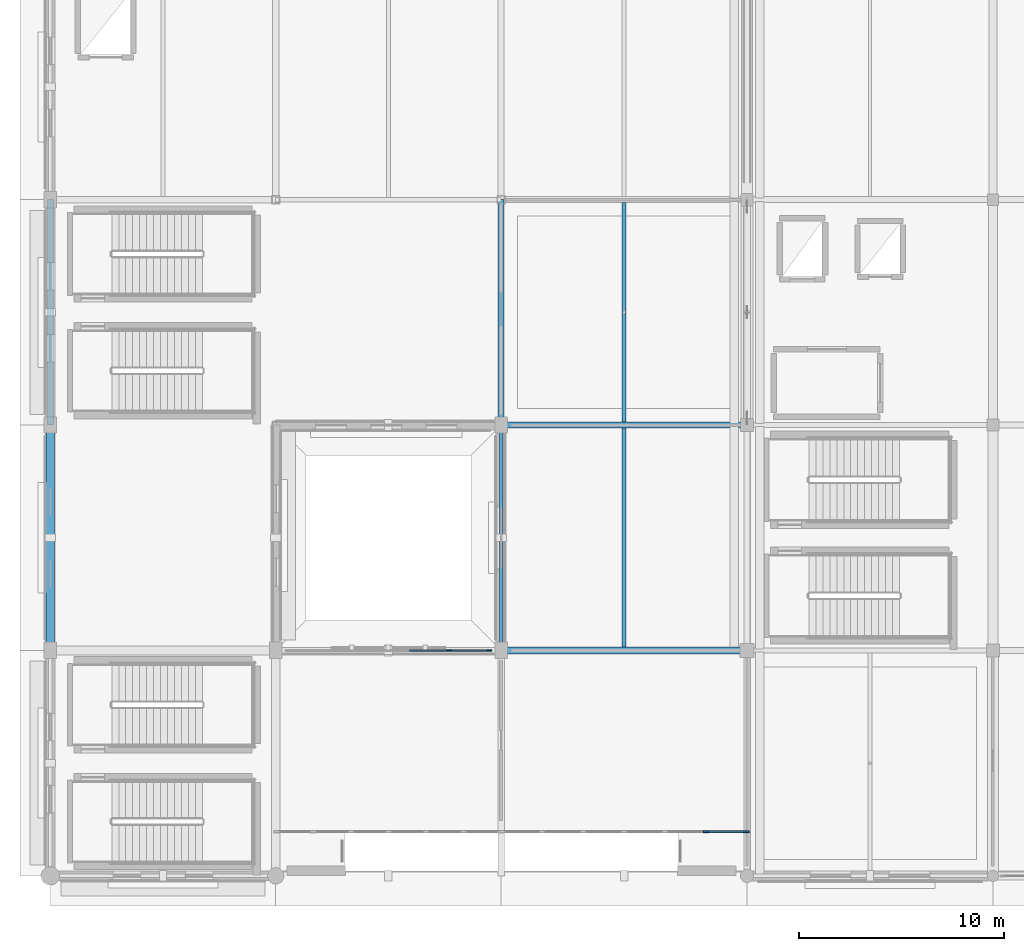
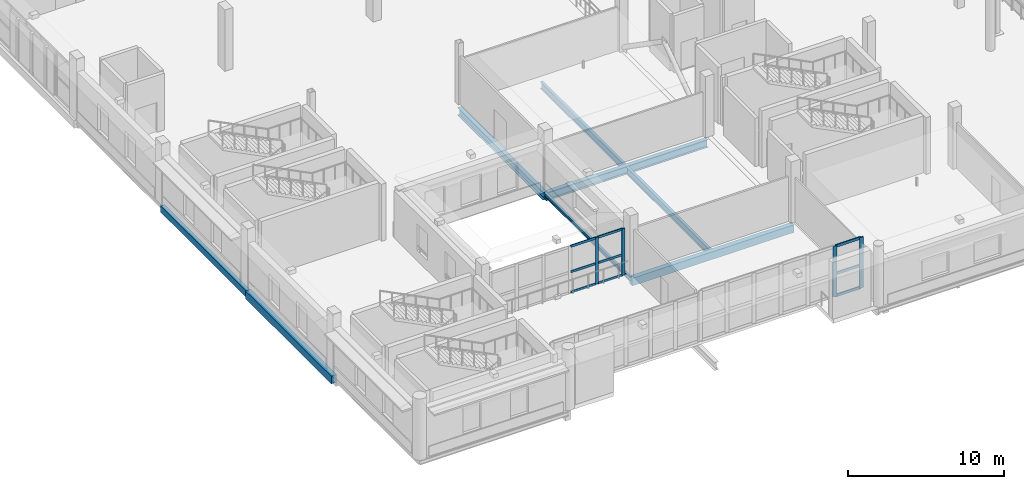
# One storey, part 23 of 143: 13 members, 8 beams, 2 elements without a shape of their own.
"""IFC4 building model written with IfcOpenShell, lengths in metres."""

from ifc_helpers import new_model, si_unit, direction, frame, origin, origin_2d, place, context, subcontext, project, spatial, rectangle, hollow_rectangle, i_section, extrude, material, material_profile, profile_set, type_object, element, aggregate, save


model = new_model("IFC4")

# Units and contexts
model_context = context("Model", 3, precision=1e-05, world=origin(), true_north=direction((0.0, 1.0)))
body_context = subcontext(model_context, "Body", "Model", "MODEL_VIEW")
ifc_project = project(units=[si_unit("LENGTHUNIT", "METRE"), si_unit("AREAUNIT", "SQUARE_METRE"), si_unit("VOLUMEUNIT", "CUBIC_METRE"), si_unit("PLANEANGLEUNIT", "RADIAN"), si_unit("MASSUNIT", "GRAM", prefix="KILO")], contexts=[model_context])

# Site, building, storey
site_placement = place(None, origin())
site = spatial("IfcSite", under=ifc_project, at=site_placement, CompositionType="ELEMENT")
building_placement = place(site_placement, origin())
building = spatial("IfcBuilding", under=site, at=building_placement, Name="Luwafu Chhajja Arena", CompositionType="ELEMENT")
storey_placement = place(building_placement, frame((0.0, 0.0, 5.39990234375)))
storey = spatial("IfcBuildingStorey", under=building, at=storey_placement, Name="L01", CompositionType="ELEMENT", Elevation=5.39990234375)

# Beam
ifc_material_1 = material(Name="Concrete C35/45", Category="concrete")
ifc_material_profile_1 = material_profile(ifc_material_1, rectangle(XDim=0.35009765625, YDim=0.60009765625, at=origin_2d()), Name="RC 350x600")
ifc_profile_set_1 = profile_set([ifc_material_profile_1], Name="Concrete C35/45")
beam_type_1 = type_object("IfcBeamType", Name="Arcade Tie Beam RC 350x600", PredefinedType="BEAM", material=ifc_profile_set_1)
beam_1_placement = place(storey_placement, frame((22.0, 11.0, -0.6298828125), z_axis=(1.0, 0.0, 0.0), x_axis=(0.0, 1.0, 0.0)))
element("IfcBeam", 1, at=beam_1_placement, inside=storey, type_object=beam_type_1, Name="L01 Grid Beam 3-4/B", PredefinedType="BEAM", context=body_context, shape_type="SweptSolid", body=[
    extrude(rectangle(XDim=0.35009765625, YDim=0.60009765625, at=origin_2d()), origin(), (0.0, 0.0, 1.0), 12.0),
])

# Curtain wall, members
ifc_material_2 = material(Name="Anodised bronze aluminium", Category="aluminium")
curtain_wall_type_1 = type_object("IfcCurtainWallType", Name="Warm-Up Gallery Curtain Wall", PredefinedType="USERDEFINED", material=ifc_material_2)
curtain_wall_1_placement = place(storey_placement, origin())
curtain_wall_1 = element("IfcCurtainWall", 2, at=curtain_wall_1_placement, inside=storey, type_object=curtain_wall_type_1, Name="L01 Curtain Wall CWG-L01-H01_01", ObjectType="CURTAIN WALL", PredefinedType="USERDEFINED")
ifc_material_profile_2 = material_profile(ifc_material_2, rectangle(XDim=0.070068359375, YDim=0.239990234375, at=origin_2d()), Name="CWM 70x240")
ifc_profile_set_2 = profile_set([ifc_material_profile_2], Name="Anodised bronze aluminium")
member_type_1 = type_object("IfcMemberType", Name="Bronze Curtain Wall Mullion 70x240", PredefinedType="MULLION", material=ifc_profile_set_2)
member_1_placement = place(storey_placement, frame((19.47607421875, 11.0, 0.030029296875), z_axis=(0.0, 0.0, 1.0), x_axis=(0.0, 1.0, 0.0)))
member_1 = element("IfcMember", 3, at=member_1_placement, type_object=member_type_1, Name="CW-08 mullion 5", PredefinedType="MULLION", context=body_context, shape_type="SweptSolid", body=[
    extrude(rectangle(XDim=0.070068359375, YDim=0.239990234375, at=origin_2d()), origin(), (0.0, 0.0, 1.0), 3.66015625),
])
member_2_placement = place(storey_placement, frame((21.425048828125, 11.0, 0.030029296875), z_axis=(0.0, 0.0, 1.0), x_axis=(0.0, 1.0, 0.0)))
member_2 = element("IfcMember", 4, at=member_2_placement, type_object=member_type_1, Name="CW-08 mullion 6", PredefinedType="MULLION", context=body_context, shape_type="SweptSolid", body=[
    extrude(rectangle(XDim=0.070068359375, YDim=0.239990234375, at=origin_2d()), origin(), (0.0, 0.0, 1.0), 3.66015625),
])
ifc_material_profile_3 = material_profile(ifc_material_2, rectangle(XDim=0.070068359375, YDim=0.179931640625, at=origin_2d()), Name="CWT 70x180")
ifc_profile_set_3 = profile_set([ifc_material_profile_3], Name="Anodised bronze aluminium")
member_type_2 = type_object("IfcMemberType", Name="Bronze Curtain Wall Transom 70x180", PredefinedType="USERDEFINED", material=ifc_profile_set_3)
member_3_placement = place(storey_placement, frame((17.527099609375, 11.0, 0.065185546875), z_axis=(1.0, 0.0, 0.0), x_axis=(0.0, 1.0, 0.0)))
member_3 = element("IfcMember", 5, at=member_3_placement, type_object=member_type_2, Name="CW-08 transom 4.1", ObjectType="TRANSOM", PredefinedType="USERDEFINED", context=body_context, shape_type="SweptSolid", body=[
    extrude(rectangle(XDim=0.070068359375, YDim=0.179931640625, at=origin_2d()), origin(), (0.0, 0.0, 1.0), 1.913818359375),
])
member_4_placement = place(storey_placement, frame((17.527099609375, 11.0, 1.66064453125), z_axis=(1.0, 0.0, 0.0), x_axis=(0.0, 1.0, 0.0)))
member_4 = element("IfcMember", 6, at=member_4_placement, type_object=member_type_2, Name="CW-08 transom 4.2", ObjectType="TRANSOM", PredefinedType="USERDEFINED", context=body_context, shape_type="SweptSolid", body=[
    extrude(rectangle(XDim=0.070068359375, YDim=0.179931640625, at=origin_2d()), origin(), (0.0, 0.0, 1.0), 1.913818359375),
])
member_5_placement = place(storey_placement, frame((17.527099609375, 11.0, 3.655029296875), z_axis=(1.0, 0.0, 0.0), x_axis=(0.0, 1.0, 0.0)))
member_5 = element("IfcMember", 7, at=member_5_placement, type_object=member_type_2, Name="CW-08 transom 4.3", ObjectType="TRANSOM", PredefinedType="USERDEFINED", context=body_context, shape_type="SweptSolid", body=[
    extrude(rectangle(XDim=0.070068359375, YDim=0.179931640625, at=origin_2d()), origin(), (0.0, 0.0, 1.0), 1.913818359375),
])
member_6_placement = place(storey_placement, frame((19.510986328125, 11.0, 0.065185546875), z_axis=(1.0, 0.0, 0.0), x_axis=(0.0, 1.0, 0.0)))
member_6 = element("IfcMember", 8, at=member_6_placement, type_object=member_type_2, Name="CW-08 transom 5.1", ObjectType="TRANSOM", PredefinedType="USERDEFINED", context=body_context, shape_type="SweptSolid", body=[
    extrude(rectangle(XDim=0.070068359375, YDim=0.179931640625, at=origin_2d()), origin(), (0.0, 0.0, 1.0), 1.87890625),
])
member_7_placement = place(storey_placement, frame((19.510986328125, 11.0, 1.66064453125), z_axis=(1.0, 0.0, 0.0), x_axis=(0.0, 1.0, 0.0)))
member_7 = element("IfcMember", 9, at=member_7_placement, type_object=member_type_2, Name="CW-08 transom 5.2", ObjectType="TRANSOM", PredefinedType="USERDEFINED", context=body_context, shape_type="SweptSolid", body=[
    extrude(rectangle(XDim=0.070068359375, YDim=0.179931640625, at=origin_2d()), origin(), (0.0, 0.0, 1.0), 1.87890625),
])
member_8_placement = place(storey_placement, frame((19.510986328125, 11.0, 3.655029296875), z_axis=(1.0, 0.0, 0.0), x_axis=(0.0, 1.0, 0.0)))
member_8 = element("IfcMember", 10, at=member_8_placement, type_object=member_type_2, Name="CW-08 transom 5.3", ObjectType="TRANSOM", PredefinedType="USERDEFINED", context=body_context, shape_type="SweptSolid", body=[
    extrude(rectangle(XDim=0.070068359375, YDim=0.179931640625, at=origin_2d()), origin(), (0.0, 0.0, 1.0), 1.87890625),
])
aggregate(curtain_wall_1, [member_1, member_2, member_3, member_4, member_5, member_6, member_7, member_8])

# Beams
ifc_material_3 = material(Name="Steel S355", Category="steel")
ifc_material_profile_4 = material_profile(ifc_material_3, i_section(OverallWidth=0.165771484375, OverallDepth=0.306640625, WebThickness=0.006591796875, FlangeThickness=0.01171875, at=origin_2d()), Name="UB 305x165x46")
ifc_profile_set_4 = profile_set([ifc_material_profile_4], Name="Steel S355")
beam_type_2 = type_object("IfcBeamType", Name="Concourse Edge Spandrel Beam UB 305x165x46", PredefinedType="SPANDREL", material=ifc_profile_set_4)
beam_2_placement = place(storey_placement, frame((22.0, 11.0, -0.483154296875), z_axis=(0.0, 1.0, 0.0), x_axis=(-1.0, 0.0, 0.0)))
element("IfcBeam", 11, at=beam_2_placement, inside=storey, type_object=beam_type_2, Name="L01 Grid Beam 3/B-C", PredefinedType="SPANDREL", context=body_context, shape_type="SweptSolid", body=[
    extrude(i_section(OverallWidth=0.165771484375, OverallDepth=0.306640625, WebThickness=0.006591796875, FlangeThickness=0.01171875, at=origin_2d()), origin(), (0.0, 0.0, 1.0), 11.0),
])
ifc_material_profile_5 = material_profile(ifc_material_3, i_section(OverallWidth=0.2099609375, OverallDepth=0.53662109375, WebThickness=0.0107421875, FlangeThickness=0.017333984375, at=origin_2d()), Name="UB 533x210x101")
ifc_profile_set_5 = profile_set([ifc_material_profile_5], Name="Steel S355")
beam_type_3 = type_object("IfcBeamType", Name="Floor Joist UB 533x210x101", PredefinedType="JOIST", material=ifc_profile_set_5)
beam_3_placement = place(storey_placement, frame((28.0, 11.175048828125, -0.59814453125), z_axis=(0.0, 1.0, 0.0), x_axis=(-1.0, 0.0, 0.0)))
element("IfcBeam", 12, at=beam_3_placement, inside=storey, type_object=beam_type_3, Name="L01 Secondary Joist 3-4/B", PredefinedType="JOIST", context=body_context, shape_type="SweptSolid", body=[
    extrude(i_section(OverallWidth=0.2099609375, OverallDepth=0.53662109375, WebThickness=0.0107421875, FlangeThickness=0.017333984375, at=origin_2d()), origin(), (0.0, 0.0, 1.0), 10.67138671875),
])
ifc_material_profile_6 = material_profile(ifc_material_3, i_section(OverallWidth=0.209228515625, OverallDepth=0.533203125, WebThickness=0.010009765625, FlangeThickness=0.015625, at=origin_2d()), Name="UB 533x210x92")
ifc_profile_set_6 = profile_set([ifc_material_profile_6], Name="Steel S355")
beam_type_4 = type_object("IfcBeamType", Name="Floor Joist UB 533x210x92", PredefinedType="JOIST", material=ifc_profile_set_6)
beam_4_placement = place(storey_placement, frame((28.0, 22.153564453125, -0.596435546875), z_axis=(0.0, 1.0, 0.0), x_axis=(-1.0, 0.0, 0.0)))
element("IfcBeam", 13, at=beam_4_placement, inside=storey, type_object=beam_type_4, Name="L01 Secondary Joist 3-4/C", PredefinedType="JOIST", context=body_context, shape_type="SweptSolid", body=[
    extrude(i_section(OverallWidth=0.209228515625, OverallDepth=0.533203125, WebThickness=0.010009765625, FlangeThickness=0.015625, at=origin_2d()), origin(), (0.0, 0.0, 1.0), 10.696533203125),
])

# Curtain wall, members
curtain_wall_type_2 = type_object("IfcCurtainWallType", Name="Pishtaq Monumental Portal Curtain Wall", PredefinedType="USERDEFINED", material=ifc_material_2)
curtain_wall_2_placement = place(storey_placement, origin())
curtain_wall_2 = element("IfcCurtainWall", 14, at=curtain_wall_2_placement, inside=storey, type_object=curtain_wall_type_2, Name="L01 Curtain Wall CWG-L01-H02_00", ObjectType="CURTAIN WALL", PredefinedType="USERDEFINED")
ifc_material_profile_7 = material_profile(ifc_material_2, rectangle(XDim=0.080078125, YDim=0.280029296875, at=origin_2d()), Name="CWM 80x280")
ifc_profile_set_7 = profile_set([ifc_material_profile_7], Name="Anodised bronze aluminium")
member_type_3 = type_object("IfcMemberType", Name="Pishtaq Portal Mullion 80x280", PredefinedType="MULLION", material=ifc_profile_set_7)
member_9_placement = place(storey_placement, frame((32.0, 2.14990234375, 0.030029296875), z_axis=(0.0, 0.0, 1.0), x_axis=(0.0, 1.0, 0.0)))
member_9 = element("IfcMember", 15, at=member_9_placement, type_object=member_type_3, Name="CW-04 mullion 6", PredefinedType="MULLION", context=body_context, shape_type="SweptSolid", body=[
    extrude(rectangle(XDim=0.080078125, YDim=0.280029296875, at=origin_2d()), origin(), (0.0, 0.0, 1.0), 3.9599609375),
])
member_10_placement = place(storey_placement, frame((33.9599609375, 2.14990234375, 0.030029296875), z_axis=(0.0, 0.0, 1.0), x_axis=(0.0, 1.0, 0.0)))
member_10 = element("IfcMember", 16, at=member_10_placement, type_object=member_type_3, Name="CW-04 mullion 7", PredefinedType="MULLION", context=body_context, shape_type="SweptSolid", body=[
    extrude(rectangle(XDim=0.080078125, YDim=0.280029296875, at=origin_2d()), origin(), (0.0, 0.0, 1.0), 3.9599609375),
])
ifc_material_profile_8 = material_profile(ifc_material_2, rectangle(XDim=0.080078125, YDim=0.2099609375, at=origin_2d()), Name="CWT 80x210")
ifc_profile_set_8 = profile_set([ifc_material_profile_8], Name="Anodised bronze aluminium")
member_type_4 = type_object("IfcMemberType", Name="Pishtaq Portal Transom 80x210", PredefinedType="USERDEFINED", material=ifc_profile_set_8)
member_11_placement = place(storey_placement, frame((32.0400390625, 2.14990234375, 0.070068359375), z_axis=(1.0, 0.0, 0.0), x_axis=(0.0, 1.0, 0.0)))
member_11 = element("IfcMember", 17, at=member_11_placement, type_object=member_type_4, Name="CW-04 transom 6.1", ObjectType="TRANSOM", PredefinedType="USERDEFINED", context=body_context, shape_type="SweptSolid", body=[
    extrude(rectangle(XDim=0.080078125, YDim=0.2099609375, at=origin_2d()), origin(), (0.0, 0.0, 1.0), 1.8798828125),
])
member_12_placement = place(storey_placement, frame((32.0400390625, 2.14990234375, 1.795654296875), z_axis=(1.0, 0.0, 0.0), x_axis=(0.0, 1.0, 0.0)))
member_12 = element("IfcMember", 18, at=member_12_placement, type_object=member_type_4, Name="CW-04 transom 6.2", ObjectType="TRANSOM", PredefinedType="USERDEFINED", context=body_context, shape_type="SweptSolid", body=[
    extrude(rectangle(XDim=0.080078125, YDim=0.2099609375, at=origin_2d()), origin(), (0.0, 0.0, 1.0), 1.8798828125),
])
member_13_placement = place(storey_placement, frame((32.0400390625, 2.14990234375, 3.9501953125), z_axis=(1.0, 0.0, 0.0), x_axis=(0.0, 1.0, 0.0)))
member_13 = element("IfcMember", 19, at=member_13_placement, type_object=member_type_4, Name="CW-04 transom 6.3", ObjectType="TRANSOM", PredefinedType="USERDEFINED", context=body_context, shape_type="SweptSolid", body=[
    extrude(rectangle(XDim=0.080078125, YDim=0.2099609375, at=origin_2d()), origin(), (0.0, 0.0, 1.0), 1.8798828125),
])
aggregate(curtain_wall_2, [member_9, member_10, member_11, member_12, member_13])

# Beams
ifc_material_profile_9 = material_profile(ifc_material_3, hollow_rectangle(XDim=0.300048828125, YDim=0.5, WallThickness=0.02001953125, at=origin_2d()), Name="RHS 500x300x20")
ifc_profile_set_9 = profile_set([ifc_material_profile_9], Name="Steel S355")
beam_type_5 = type_object("IfcBeamType", Name="Pleated Drum Spandrel Beam RHS 500x300", PredefinedType="SPANDREL", material=ifc_profile_set_9)
beam_5_placement = place(storey_placement, frame((0.0, 22.0, -0.579833984375), z_axis=(0.0, 1.0, 0.0), x_axis=(-1.0, 0.0, 0.0)))
element("IfcBeam", 20, at=beam_5_placement, inside=storey, type_object=beam_type_5, Name="L01 Grid Beam 1/C-D", PredefinedType="SPANDREL", context=body_context, shape_type="SweptSolid", body=[
    extrude(hollow_rectangle(XDim=0.300048828125, YDim=0.5, WallThickness=0.02001953125, at=origin_2d()), origin(), (0.0, 0.0, 1.0), 11.0),
])
ifc_material_profile_10 = material_profile(ifc_material_1, rectangle(XDim=0.39990234375, YDim=0.60009765625, at=origin_2d()), Name="RC 400x600")
ifc_profile_set_10 = profile_set([ifc_material_profile_10], Name="Concrete C35/45")
beam_type_6 = type_object("IfcBeamType", Name="Podium Perimeter Spandrel RC 400x600", PredefinedType="SPANDREL", material=ifc_profile_set_10)
beam_6_placement = place(storey_placement, frame((0.0, 11.0, -0.6298828125), z_axis=(0.0, 1.0, 0.0), x_axis=(-1.0, 0.0, 0.0)))
element("IfcBeam", 21, at=beam_6_placement, inside=storey, type_object=beam_type_6, Name="L01 Grid Beam 1/B-C", PredefinedType="SPANDREL", context=body_context, shape_type="SweptSolid", body=[
    extrude(rectangle(XDim=0.39990234375, YDim=0.60009765625, at=origin_2d()), origin(), (0.0, 0.0, 1.0), 11.0),
])
ifc_material_profile_11 = material_profile(ifc_material_3, i_section(OverallWidth=0.300048828125, OverallDepth=0.60009765625, WebThickness=0.015380859375, FlangeThickness=0.030029296875, at=origin_2d()), Name="HEB 600")
ifc_profile_set_11 = profile_set([ifc_material_profile_11], Name="Steel S355")
beam_type_7 = type_object("IfcBeamType", Name="Steel Gallery Girder HEB 600", PredefinedType="BEAM", material=ifc_profile_set_11)
beam_7_placement = place(storey_placement, frame((22.0, 22.0, -0.6298828125), z_axis=(0.0, 1.0, 0.0), x_axis=(-1.0, 0.0, 0.0)))
element("IfcBeam", 22, at=beam_7_placement, inside=storey, type_object=beam_type_7, Name="L01 Grid Beam 3/C-D", PredefinedType="BEAM", context=body_context, shape_type="SweptSolid", body=[
    extrude(i_section(OverallWidth=0.300048828125, OverallDepth=0.60009765625, WebThickness=0.015380859375, FlangeThickness=0.030029296875, at=origin_2d()), origin(), (0.0, 0.0, 1.0), 11.0),
])
ifc_material_profile_12 = material_profile(ifc_material_3, i_section(OverallWidth=0.30712890625, OverallDepth=0.6201171875, WebThickness=0.01416015625, FlangeThickness=0.023681640625, at=origin_2d()), Name="UB 610x305x179")
ifc_profile_set_12 = profile_set([ifc_material_profile_12], Name="Steel S355")
beam_type_8 = type_object("IfcBeamType", Name="Steel Hospitality Girder UB 610x305x179", PredefinedType="BEAM", material=ifc_profile_set_12)
beam_8_placement = place(storey_placement, frame((22.0, 22.0, -0.639892578125), z_axis=(1.0, 0.0, 0.0), x_axis=(0.0, 1.0, 0.0)))
element("IfcBeam", 23, at=beam_8_placement, inside=storey, type_object=beam_type_8, Name="L01 Grid Beam 3-4/C", PredefinedType="BEAM", context=body_context, shape_type="SweptSolid", body=[
    extrude(i_section(OverallWidth=0.30712890625, OverallDepth=0.6201171875, WebThickness=0.01416015625, FlangeThickness=0.023681640625, at=origin_2d()), origin(), (0.0, 0.0, 1.0), 12.0),
])

save(model, "model.ifc")
